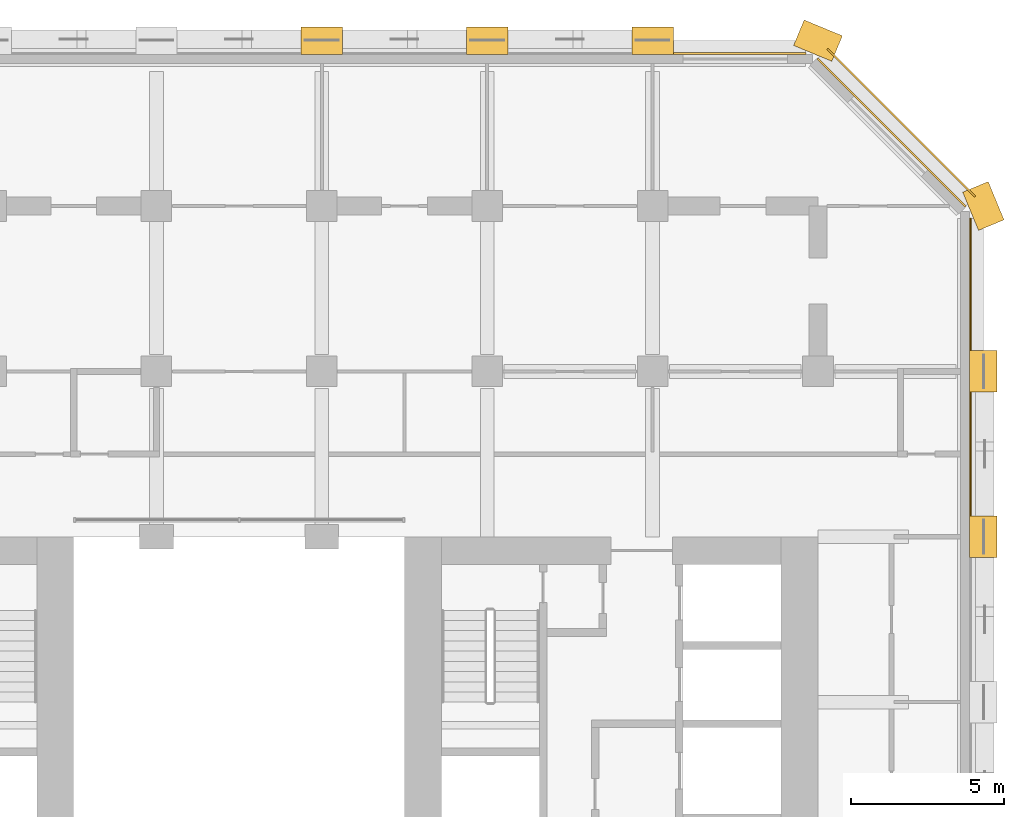
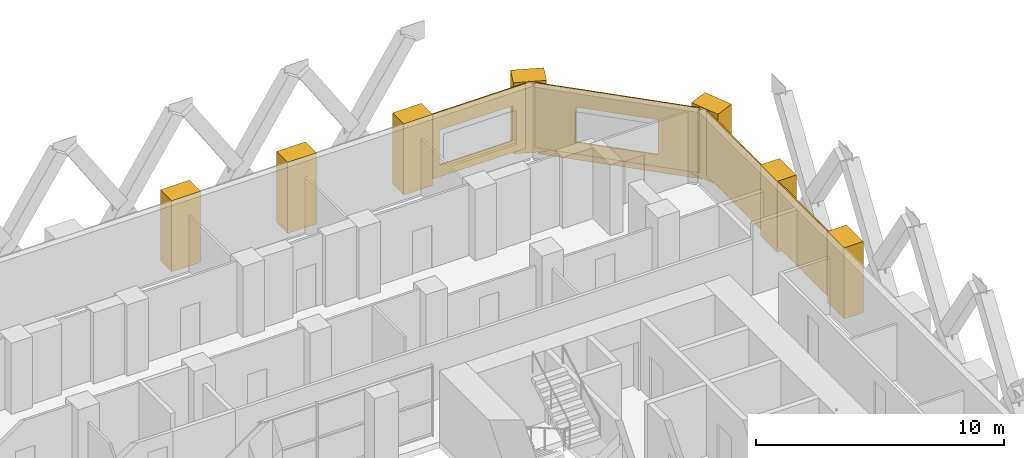
# One storey, part 16 of 16: 12 coverings.
"""IFC4 building model written with IfcOpenShell, lengths in metres."""

from ifc_helpers import new_model, si_unit, direction, frame, frame_2d, origin, place, context, subcontext, project, spatial, polyline, rectangle, outline, extrude, material, layer, layer_set, type_object, element, save


model = new_model("IFC4")

# Units and contexts
model_context = context("Model", 3, precision=1e-05, world=origin(), true_north=direction((0.0, 1.0)))
body_context = subcontext(model_context, "Body", "Model", "MODEL_VIEW")
ifc_project = project(units=[si_unit("LENGTHUNIT", "METRE"), si_unit("AREAUNIT", "SQUARE_METRE"), si_unit("VOLUMEUNIT", "CUBIC_METRE"), si_unit("PLANEANGLEUNIT", "RADIAN"), si_unit("MASSUNIT", "GRAM", prefix="KILO")], contexts=[model_context])

# Site, building, storey
site_placement = place(None, origin())
site = spatial("IfcSite", under=ifc_project, at=site_placement, CompositionType="ELEMENT")
building_placement = place(site_placement, origin())
building = spatial("IfcBuilding", under=site, at=building_placement, Name="Tabaq Tower and Sports Hall", CompositionType="ELEMENT")
storey_placement = place(building_placement, frame((0.0, 0.0, 65.0)))
storey = spatial("IfcBuildingStorey", under=building, at=storey_placement, Name="L14", CompositionType="ELEMENT", Elevation=65.0)

# Coverings
ifc_material_1 = material(Name="Precast concrete C60/75", Category="concrete")
ifc_layer_1 = layer(ifc_material_1, 0.06005859375)
ifc_layer_set_1 = layer_set([ifc_layer_1], Name="Edge beam cladding 60")
covering_type_1 = type_object("IfcCoveringType", Name="Edge beam cladding 60", PredefinedType="CLADDING", material=ifc_layer_set_1)
covering_1_placement = place(storey_placement, frame((48.3369140625, 43.505615234375, -0.300048828125), z_axis=(0.0, 0.0, 1.0), x_axis=(-0.707106781187, 0.707106781187, 0.0)))
element("IfcCovering", 1, at=covering_1_placement, inside=storey, type_object=covering_type_1, Name="Edge beam cladding L14 2", PredefinedType="CLADDING", context=body_context, shape_type="SweptSolid", body=[
    extrude(rectangle(XDim=6.83251953125, YDim=0.06005859375, at=frame_2d((3.416259765625, 0.0))), origin(), (0.0, 0.0, 1.0), 0.300048828125),
])
ifc_material_2 = material(Name="White precast concrete C60/75", Category="concrete")
covering_type_2 = type_object("IfcCoveringType", Name="Pier cladding hung 1350x900", PredefinedType="CLADDING", material=ifc_material_2)
covering_2_placement = place(storey_placement, frame((27.675048828125, 48.60009765625, 0.0), z_axis=(0.0, 0.0, 1.0), x_axis=(-1.0, 0.0, 0.0)))
element("IfcCovering", 2, at=covering_2_placement, inside=storey, type_object=covering_type_2, Name="Hung pier cladding 5/9", PredefinedType="CLADDING", context=body_context, shape_type="SweptSolid", body=[
    extrude(rectangle(XDim=1.35009765625, YDim=0.89990234375, at=frame_2d((0.675048828125, 0.0))), origin(), (0.0, 0.0, 1.0), 3.5),
])
covering_3_placement = place(storey_placement, frame((33.074951171875, 48.60009765625, 0.0), z_axis=(0.0, 0.0, 1.0), x_axis=(-1.0, 0.0, 0.0)))
element("IfcCovering", 3, at=covering_3_placement, inside=storey, type_object=covering_type_2, Name="Hung pier cladding 6/9", PredefinedType="CLADDING", context=body_context, shape_type="SweptSolid", body=[
    extrude(rectangle(XDim=1.349853515625, YDim=0.89990234375, at=frame_2d((0.6748046875, 0.0))), origin(), (0.0, 0.0, 1.0), 3.5),
])
for number, where, z_axis, x_axis, name in (
    (4, (38.47509765625, 48.60009765625, 0.0), (0.0, 0.0, 1.0), (-1.0, 0.0, 0.0), "Hung pier cladding 7/9"),
    (5, (43.82373046875, 48.341796875, 0.0), (0.0, 0.0, 1.0), (-0.923893411637, 0.382649923473, 0.0), "Hung pier cladding 8/9"),
):
    element("IfcCovering", number, at=place(storey_placement, frame(where, z_axis=z_axis, x_axis=x_axis)), inside=storey, type_object=covering_type_2, Name=name, PredefinedType="CLADDING", context=body_context, shape_type="SweptSolid", body=[
        extrude(rectangle(XDim=1.35009765625, YDim=0.89990234375, at=frame_2d((0.675048828125, 0.0))), origin(), (0.0, 0.0, 1.0), 3.5),
    ])
covering_4_placement = place(storey_placement, frame((48.60009765625, 31.72509765625, 0.0), z_axis=(0.0, 0.0, 1.0), x_axis=(0.0, 1.0, 0.0)))
element("IfcCovering", 6, at=covering_4_placement, inside=storey, type_object=covering_type_2, Name="Hung pier cladding 9/6", PredefinedType="CLADDING", context=body_context, shape_type="SweptSolid", body=[
    extrude(rectangle(XDim=1.349853515625, YDim=0.89990234375, at=frame_2d((0.6748046875, 0.0))), origin(), (0.0, 0.0, 1.0), 3.5),
])
for number, where, z_axis, x_axis, name in (
    (7, (48.60009765625, 37.125, 0.0), (0.0, 0.0, 1.0), (0.0, 1.0, 0.0), "Hung pier cladding 9/7"),
    (8, (48.8583984375, 42.576416015625, 0.0), (0.0, 0.0, 1.0), (-0.382649923473, 0.923893411637, 0.0), "Hung pier cladding 9/8"),
):
    element("IfcCovering", number, at=place(storey_placement, frame(where, z_axis=z_axis, x_axis=x_axis)), inside=storey, type_object=covering_type_2, Name=name, PredefinedType="CLADDING", context=body_context, shape_type="SweptSolid", body=[
        extrude(rectangle(XDim=1.35009765625, YDim=0.89990234375, at=frame_2d((0.675048828125, 0.0))), origin(), (0.0, 0.0, 1.0), 3.5),
    ])
ifc_material_3 = material(Name="Precast concrete C60/75", Category="concrete")
ifc_layer_2 = layer(ifc_material_3, 0.06005859375)
ifc_layer_set_2 = layer_set([ifc_layer_2], Name="White precast cladding panel 60 C60/75")
covering_type_3 = type_object("IfcCoveringType", Name="White precast cladding panel 60 C60/75", PredefinedType="CLADDING", material=ifc_layer_set_2)
covering_5_placement = place(storey_placement, frame((48.179931640625, 33.0849609375, 0.31005859375), z_axis=(0.0, 0.0, 1.0), x_axis=(0.0, 1.0, 0.0)))
element("IfcCovering", 9, at=covering_5_placement, inside=storey, type_object=covering_type_3, Name="White precast cladding panel L14 wall02 5", PredefinedType="CLADDING", context=body_context, shape_type="SweptSolid", body=[
    extrude(rectangle(XDim=4.030029296875, YDim=0.06005859375, at=frame_2d((2.01513671875, 0.0))), origin(), (0.0, 0.0, 1.0), 3.18994140625),
])
covering_6_placement = place(storey_placement, frame((48.179931640625, 38.485107421875, 0.31005859375), z_axis=(0.0, 0.0, 1.0), x_axis=(0.0, 1.0, 0.0)))
element("IfcCovering", 10, at=covering_6_placement, inside=storey, type_object=covering_type_3, Name="White precast cladding panel L14 wall02 6", PredefinedType="CLADDING", context=body_context, shape_type="SweptSolid", body=[
    extrude(rectangle(XDim=4.32275390625, YDim=0.06005859375, at=frame_2d((2.161376953125, 0.0))), origin(), (0.0, 0.0, 1.0), 3.18994140625),
])
covering_7_placement = place(storey_placement, frame((48.02587890625, 43.18017578125, 0.31005859375), z_axis=(0.0, 0.0, 1.0), x_axis=(-0.707106781187, 0.707106781187, 0.0)))
element("IfcCovering", 11, at=covering_7_placement, inside=storey, type_object=covering_type_3, Name="White precast cladding panel L14 wall03", PredefinedType="CLADDING", context=body_context, shape_type="SweptSolid", body=[
    extrude(outline(polyline([(0.0, 0.0), (6.852783203125, 0.0), (6.852783203125, 3.18994140625), (0.0, 3.18994140625), (0.0, 0.0)]), holes=[polyline([(1.71630859375, 0.579833984375), (1.71630859375, 2.300048828125), (5.13623046875, 2.300048828125), (5.13623046875, 0.579833984375), (1.71630859375, 0.579833984375)])]), frame((0.0, 0.030029296875, 0.0), z_axis=(0.0, -1.0, 0.0), x_axis=(1.0, 0.0, 0.0)), (0.0, 0.0, 1.0), 0.06005859375),
])
covering_8_placement = place(storey_placement, frame((42.807861328125, 48.179931640625, 0.31005859375), z_axis=(0.0, 0.0, 1.0), x_axis=(-1.0, 0.0, 0.0)))
element("IfcCovering", 12, at=covering_8_placement, inside=storey, type_object=covering_type_3, Name="White precast cladding panel L14 wall04", PredefinedType="CLADDING", context=body_context, shape_type="SweptSolid", body=[
    extrude(outline(polyline([(0.0, 0.0), (4.32275390625, 0.0), (4.32275390625, 3.18994140625), (0.0, 3.18994140625), (0.0, 0.0)]), holes=[polyline([(0.597900390625, 0.579833984375), (0.597900390625, 2.300048828125), (4.017822265625, 2.300048828125), (4.017822265625, 0.579833984375), (0.597900390625, 0.579833984375)])]), frame((0.0, 0.030029296875, 0.0), z_axis=(0.0, -1.0, 0.0), x_axis=(1.0, 0.0, 0.0)), (0.0, 0.0, 1.0), 0.06005859375),
])

save(model, "model.ifc")
